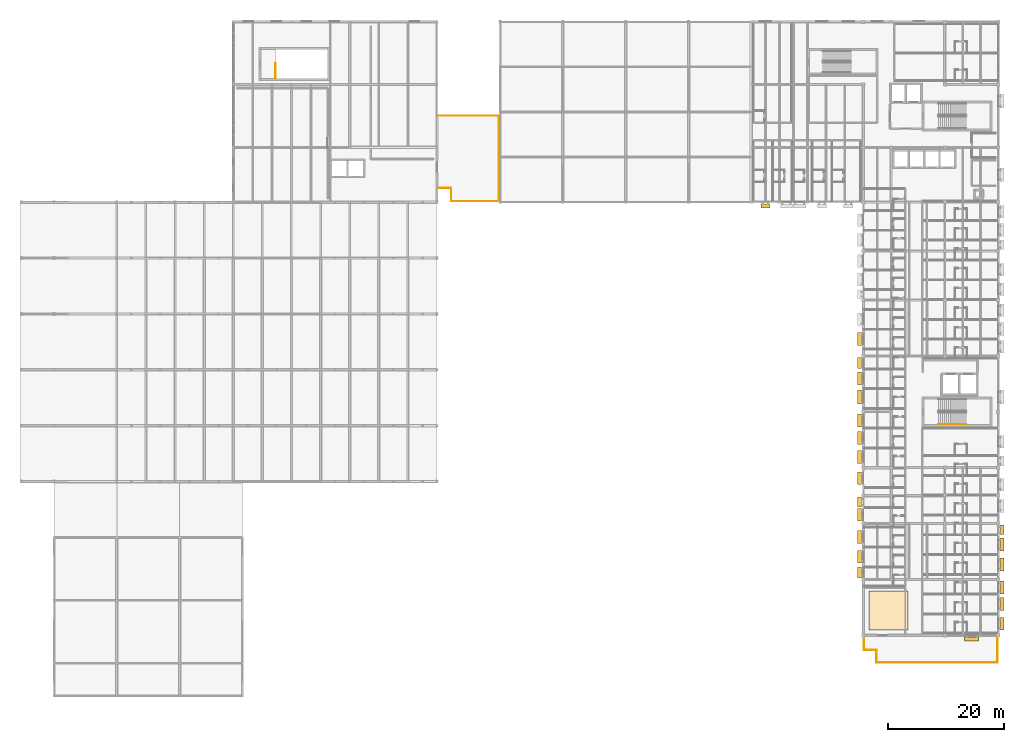
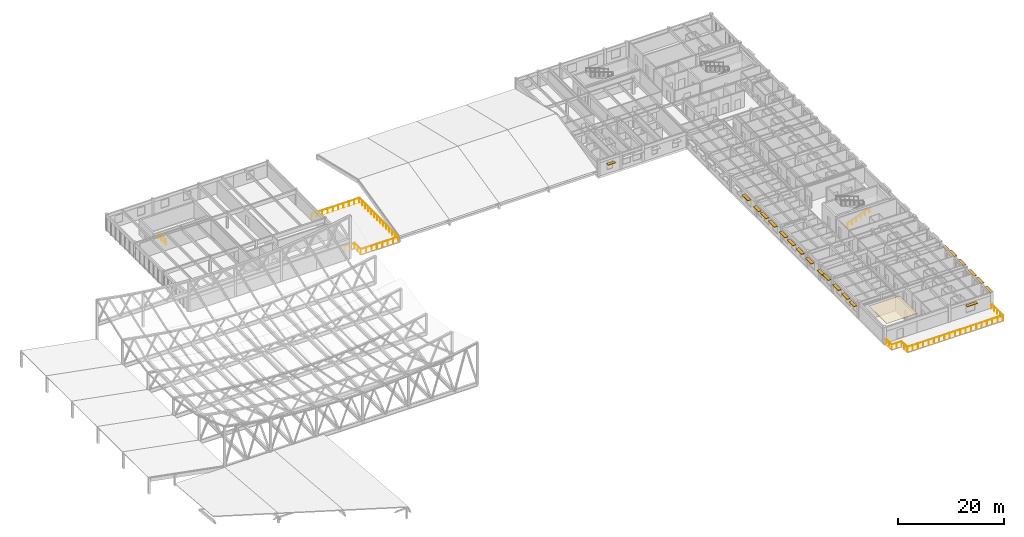
# One storey, part 37 of 40: 21 shading devices, 4 railings, 1 covering.
"""IFC4 building model written with IfcOpenShell, lengths in metres."""

from ifc_helpers import new_model, si_unit, direction, frame, origin, origin_2d, place, context, subcontext, project, spatial, polyline, rectangle, circle, outline, extrude, material, layer, layer_set, type_object, element, save


model = new_model("IFC4")

# Units and contexts
model_context = context("Model", 3, precision=1e-05, world=origin(), true_north=direction((0.0, 1.0)))
body_context = subcontext(model_context, "Body", "Model", "MODEL_VIEW")
ifc_project = project(units=[si_unit("LENGTHUNIT", "METRE"), si_unit("AREAUNIT", "SQUARE_METRE"), si_unit("VOLUMEUNIT", "CUBIC_METRE"), si_unit("PLANEANGLEUNIT", "RADIAN"), si_unit("MASSUNIT", "GRAM", prefix="KILO")], contexts=[model_context])

# Site, building, storey
site_placement = place(None, origin())
site = spatial("IfcSite", under=ifc_project, at=site_placement, CompositionType="ELEMENT")
building_placement = place(site_placement, origin())
building = spatial("IfcBuilding", under=site, at=building_placement, Name="Veldera Park Congress Hotel", CompositionType="ELEMENT")
storey_placement = place(building_placement, frame((0.0, 0.0, 16.199951171875)))
storey = spatial("IfcBuildingStorey", under=building, at=storey_placement, Name="L03", CompositionType="ELEMENT", Elevation=16.199951171875)

# Railings
ifc_material_1 = material(Name="Low-E Triple Insulating Glass Unit (SHGC 0.22)", Category="glass")
railing_type_1 = type_object("IfcRailingType", Name="BAL-TER115", PredefinedType="BALUSTRADE", material=ifc_material_1)
railing_1_placement = place(storey_placement, frame((-12.14990234375, 41.85009765625, 0.0)))
element("IfcRailing", 1, at=railing_1_placement, inside=storey, type_object=railing_type_1, Name="L03 Terrace Guard 002", PredefinedType="BALUSTRADE", context=body_context, shape_type="SweptSolid", body=[
    extrude(circle(Radius=0.02392578125, at=origin_2d()), frame((0.0, 0.0, 1.1259765625), z_axis=(1.0, 0.0, 0.0), x_axis=(0.0, 1.0, 0.0)), (0.0, 0.0, 1.0), 10.39990234375),
    extrude(circle(Radius=0.02392578125, at=origin_2d()), frame((10.39990234375, 0.0, 1.1259765625), z_axis=(0.0, -1.0, 0.0), x_axis=(1.0, 0.0, 0.0)), (0.0, 0.0, 1.0), 14.7001953125),
    extrude(circle(Radius=0.02392578125, at=origin_2d()), frame((10.39990234375, -14.7001953125, 1.1259765625), z_axis=(-1.0, 0.0, 0.0), x_axis=(0.0, -1.0, 0.0)), (0.0, 0.0, 1.0), 8.199951171875),
    extrude(circle(Radius=0.02392578125, at=origin_2d()), frame((2.199951171875, -14.7001953125, 1.1259765625), z_axis=(0.0, 1.0, 0.0), x_axis=(-1.0, 0.0, 0.0)), (0.0, 0.0, 1.0), 2.300048828125),
    extrude(circle(Radius=0.02392578125, at=origin_2d()), frame((2.199951171875, -12.400146484375, 1.1259765625), z_axis=(-1.0, 0.0, 0.0), x_axis=(0.0, -1.0, 0.0)), (0.0, 0.0, 1.0), 2.199951171875),
    extrude(circle(Radius=0.02099609375, at=origin_2d()), origin(), (0.0, 0.0, 1.0), 1.101806640625),
    extrude(circle(Radius=0.02099609375, at=origin_2d()), frame((1.155517578125, 0.0, 0.0)), (0.0, 0.0, 1.0), 1.101806640625),
    extrude(circle(Radius=0.02099609375, at=origin_2d()), frame((2.31103515625, 0.0, 0.0)), (0.0, 0.0, 1.0), 1.101806640625),
    extrude(circle(Radius=0.02099609375, at=origin_2d()), frame((3.466552734375, 0.0, 0.0)), (0.0, 0.0, 1.0), 1.101806640625),
    extrude(circle(Radius=0.02099609375, at=origin_2d()), frame((4.6220703125, 0.0, 0.0)), (0.0, 0.0, 1.0), 1.101806640625),
    extrude(circle(Radius=0.02099609375, at=origin_2d()), frame((5.77783203125, 0.0, 0.0)), (0.0, 0.0, 1.0), 1.101806640625),
    extrude(circle(Radius=0.02099609375, at=origin_2d()), frame((6.933349609375, 0.0, 0.0)), (0.0, 0.0, 1.0), 1.101806640625),
    extrude(circle(Radius=0.02099609375, at=origin_2d()), frame((8.0888671875, 0.0, 0.0)), (0.0, 0.0, 1.0), 1.101806640625),
    extrude(circle(Radius=0.02099609375, at=origin_2d()), frame((9.244384765625, 0.0, 0.0)), (0.0, 0.0, 1.0), 1.101806640625),
    extrude(circle(Radius=0.02099609375, at=origin_2d()), frame((10.39990234375, 0.0, 0.0)), (0.0, 0.0, 1.0), 1.101806640625),
    extrude(circle(Radius=0.02099609375, at=origin_2d()), frame((10.39990234375, -1.130859375, 0.0)), (0.0, 0.0, 1.0), 1.101806640625),
    extrude(circle(Radius=0.02099609375, at=origin_2d()), frame((10.39990234375, -2.261474609375, 0.0)), (0.0, 0.0, 1.0), 1.101806640625),
    extrude(circle(Radius=0.02099609375, at=origin_2d()), frame((10.39990234375, -3.392333984375, 0.0)), (0.0, 0.0, 1.0), 1.101806640625),
    extrude(circle(Radius=0.02099609375, at=origin_2d()), frame((10.39990234375, -4.523193359375, 0.0)), (0.0, 0.0, 1.0), 1.101806640625),
    extrude(circle(Radius=0.02099609375, at=origin_2d()), frame((10.39990234375, -5.65380859375, 0.0)), (0.0, 0.0, 1.0), 1.101806640625),
    extrude(circle(Radius=0.02099609375, at=origin_2d()), frame((10.39990234375, -6.78466796875, 0.0)), (0.0, 0.0, 1.0), 1.101806640625),
    extrude(circle(Radius=0.02099609375, at=origin_2d()), frame((10.39990234375, -7.91552734375, 0.0)), (0.0, 0.0, 1.0), 1.101806640625),
    extrude(circle(Radius=0.02099609375, at=origin_2d()), frame((10.39990234375, -9.04638671875, 0.0)), (0.0, 0.0, 1.0), 1.101806640625),
    extrude(circle(Radius=0.02099609375, at=origin_2d()), frame((10.39990234375, -10.177001953125, 0.0)), (0.0, 0.0, 1.0), 1.101806640625),
    extrude(circle(Radius=0.02099609375, at=origin_2d()), frame((10.39990234375, -11.307861328125, 0.0)), (0.0, 0.0, 1.0), 1.101806640625),
    extrude(circle(Radius=0.02099609375, at=origin_2d()), frame((10.39990234375, -12.438720703125, 0.0)), (0.0, 0.0, 1.0), 1.101806640625),
    extrude(circle(Radius=0.02099609375, at=origin_2d()), frame((10.39990234375, -13.5693359375, 0.0)), (0.0, 0.0, 1.0), 1.101806640625),
    extrude(circle(Radius=0.02099609375, at=origin_2d()), frame((10.39990234375, -14.7001953125, 0.0)), (0.0, 0.0, 1.0), 1.101806640625),
    extrude(circle(Radius=0.02099609375, at=origin_2d()), frame((9.228515625, -14.7001953125, 0.0)), (0.0, 0.0, 1.0), 1.101806640625),
    extrude(circle(Radius=0.02099609375, at=origin_2d()), frame((8.05712890625, -14.7001953125, 0.0)), (0.0, 0.0, 1.0), 1.101806640625),
    extrude(circle(Radius=0.02099609375, at=origin_2d()), frame((6.8857421875, -14.7001953125, 0.0)), (0.0, 0.0, 1.0), 1.101806640625),
    extrude(circle(Radius=0.02099609375, at=origin_2d()), frame((5.714111328125, -14.7001953125, 0.0)), (0.0, 0.0, 1.0), 1.101806640625),
    extrude(circle(Radius=0.02099609375, at=origin_2d()), frame((4.542724609375, -14.7001953125, 0.0)), (0.0, 0.0, 1.0), 1.101806640625),
    extrude(circle(Radius=0.02099609375, at=origin_2d()), frame((3.371337890625, -14.7001953125, 0.0)), (0.0, 0.0, 1.0), 1.101806640625),
    extrude(circle(Radius=0.02099609375, at=origin_2d()), frame((2.199951171875, -14.7001953125, 0.0)), (0.0, 0.0, 1.0), 1.101806640625),
    extrude(circle(Radius=0.02099609375, at=origin_2d()), frame((2.199951171875, -13.55029296875, 0.0)), (0.0, 0.0, 1.0), 1.101806640625),
    extrude(circle(Radius=0.02099609375, at=origin_2d()), frame((2.199951171875, -12.400146484375, 0.0)), (0.0, 0.0, 1.0), 1.101806640625),
    extrude(circle(Radius=0.02099609375, at=origin_2d()), frame((1.10009765625, -12.400146484375, 0.0)), (0.0, 0.0, 1.0), 1.101806640625),
    extrude(circle(Radius=0.02099609375, at=origin_2d()), frame((0.0, -12.400146484375, 0.0)), (0.0, 0.0, 1.0), 1.101806640625),
])
railing_2_placement = place(storey_placement, frame((60.93994140625, -47.739990234375, 0.0)))
element("IfcRailing", 2, at=railing_2_placement, inside=storey, type_object=railing_type_1, Name="L03 Terrace Guard 003", PredefinedType="BALUSTRADE", context=body_context, shape_type="SweptSolid", body=[
    extrude(circle(Radius=0.02392578125, at=origin_2d()), frame((0.0, 0.0, 1.1259765625), z_axis=(0.0, -1.0, 0.0), x_axis=(1.0, 0.0, 0.0)), (0.0, 0.0, 1.0), 2.169921875),
    extrude(circle(Radius=0.02392578125, at=origin_2d()), frame((0.0, -2.169921875, 1.1259765625), z_axis=(1.0, 0.0, 0.0), x_axis=(0.0, 1.0, 0.0)), (0.0, 0.0, 1.0), 2.150146484375),
    extrude(circle(Radius=0.02392578125, at=origin_2d()), frame((2.150146484375, -2.169921875, 1.1259765625), z_axis=(0.0, -1.0, 0.0), x_axis=(1.0, 0.0, 0.0)), (0.0, 0.0, 1.0), 2.150146484375),
    extrude(circle(Radius=0.02392578125, at=origin_2d()), frame((2.150146484375, -4.320068359375, 1.1259765625), z_axis=(1.0, 0.0, 0.0), x_axis=(0.0, 1.0, 0.0)), (0.0, 0.0, 1.0), 20.77001953125),
    extrude(circle(Radius=0.02392578125, at=origin_2d()), frame((22.920166015625, -4.320068359375, 1.1259765625), z_axis=(0.0, 1.0, 0.0), x_axis=(-1.0, 0.0, 0.0)), (0.0, 0.0, 1.0), 4.320068359375),
    extrude(circle(Radius=0.02099609375, at=origin_2d()), origin(), (0.0, 0.0, 1.0), 1.101806640625),
    extrude(circle(Radius=0.02099609375, at=origin_2d()), frame((0.0, -1.0849609375, 0.0)), (0.0, 0.0, 1.0), 1.101806640625),
    extrude(circle(Radius=0.02099609375, at=origin_2d()), frame((0.0, -2.169921875, 0.0)), (0.0, 0.0, 1.0), 1.101806640625),
    extrude(circle(Radius=0.02099609375, at=origin_2d()), frame((1.0751953125, -2.169921875, 0.0)), (0.0, 0.0, 1.0), 1.101806640625),
    extrude(circle(Radius=0.02099609375, at=origin_2d()), frame((2.150146484375, -2.169921875, 0.0)), (0.0, 0.0, 1.0), 1.101806640625),
    extrude(circle(Radius=0.02099609375, at=origin_2d()), frame((2.150146484375, -3.2451171875, 0.0)), (0.0, 0.0, 1.0), 1.101806640625),
    extrude(circle(Radius=0.02099609375, at=origin_2d()), frame((2.150146484375, -4.320068359375, 0.0)), (0.0, 0.0, 1.0), 1.101806640625),
    extrude(circle(Radius=0.02099609375, at=origin_2d()), frame((3.303955078125, -4.320068359375, 0.0)), (0.0, 0.0, 1.0), 1.101806640625),
    extrude(circle(Radius=0.02099609375, at=origin_2d()), frame((4.4580078125, -4.320068359375, 0.0)), (0.0, 0.0, 1.0), 1.101806640625),
    extrude(circle(Radius=0.02099609375, at=origin_2d()), frame((5.61181640625, -4.320068359375, 0.0)), (0.0, 0.0, 1.0), 1.101806640625),
    extrude(circle(Radius=0.02099609375, at=origin_2d()), frame((6.765625, -4.320068359375, 0.0)), (0.0, 0.0, 1.0), 1.101806640625),
    extrude(circle(Radius=0.02099609375, at=origin_2d()), frame((7.919677734375, -4.320068359375, 0.0)), (0.0, 0.0, 1.0), 1.101806640625),
    extrude(circle(Radius=0.02099609375, at=origin_2d()), frame((9.073486328125, -4.320068359375, 0.0)), (0.0, 0.0, 1.0), 1.101806640625),
    extrude(circle(Radius=0.02099609375, at=origin_2d()), frame((10.227294921875, -4.320068359375, 0.0)), (0.0, 0.0, 1.0), 1.101806640625),
    extrude(circle(Radius=0.02099609375, at=origin_2d()), frame((11.38134765625, -4.320068359375, 0.0)), (0.0, 0.0, 1.0), 1.101806640625),
    extrude(circle(Radius=0.02099609375, at=origin_2d()), frame((12.53515625, -4.320068359375, 0.0)), (0.0, 0.0, 1.0), 1.101806640625),
    extrude(circle(Radius=0.02099609375, at=origin_2d()), frame((13.68896484375, -4.320068359375, 0.0)), (0.0, 0.0, 1.0), 1.101806640625),
    extrude(circle(Radius=0.02099609375, at=origin_2d()), frame((14.843017578125, -4.320068359375, 0.0)), (0.0, 0.0, 1.0), 1.101806640625),
    extrude(circle(Radius=0.02099609375, at=origin_2d()), frame((15.996826171875, -4.320068359375, 0.0)), (0.0, 0.0, 1.0), 1.101806640625),
    extrude(circle(Radius=0.02099609375, at=origin_2d()), frame((17.150634765625, -4.320068359375, 0.0)), (0.0, 0.0, 1.0), 1.101806640625),
    extrude(circle(Radius=0.02099609375, at=origin_2d()), frame((18.3046875, -4.320068359375, 0.0)), (0.0, 0.0, 1.0), 1.101806640625),
    extrude(circle(Radius=0.02099609375, at=origin_2d()), frame((19.45849609375, -4.320068359375, 0.0)), (0.0, 0.0, 1.0), 1.101806640625),
    extrude(circle(Radius=0.02099609375, at=origin_2d()), frame((20.6123046875, -4.320068359375, 0.0)), (0.0, 0.0, 1.0), 1.101806640625),
    extrude(circle(Radius=0.02099609375, at=origin_2d()), frame((21.766357421875, -4.320068359375, 0.0)), (0.0, 0.0, 1.0), 1.101806640625),
    extrude(circle(Radius=0.02099609375, at=origin_2d()), frame((22.920166015625, -4.320068359375, 0.0)), (0.0, 0.0, 1.0), 1.101806640625),
    extrude(circle(Radius=0.02099609375, at=origin_2d()), frame((22.920166015625, -3.239990234375, 0.0)), (0.0, 0.0, 1.0), 1.101806640625),
    extrude(circle(Radius=0.02099609375, at=origin_2d()), frame((22.920166015625, -2.16015625, 0.0)), (0.0, 0.0, 1.0), 1.101806640625),
    extrude(circle(Radius=0.02099609375, at=origin_2d()), frame((22.920166015625, -1.080078125, 0.0)), (0.0, 0.0, 1.0), 1.101806640625),
    extrude(circle(Radius=0.02099609375, at=origin_2d()), frame((22.920166015625, 0.0, 0.0)), (0.0, 0.0, 1.0), 1.101806640625),
])

# Covering
ifc_material_2 = material(Name="Micro-Perforated Western Hemlock Acoustic Timber", Category="wood")
ifc_layer = layer(ifc_material_2, 0.044921875)
ifc_layer_set = layer_set([ifc_layer], Name="Micro-Perforated Western Hemlock Acoustic Timber")
covering_type = type_object("IfcCoveringType", Name="COV-CLG-TIM", PredefinedType="CEILING", material=ifc_layer_set)
covering_placement = place(storey_placement, frame((0.0, 0.0, 3.51513671875)))
element("IfcCovering", 3, at=covering_placement, inside=storey, type_object=covering_type, Name="Club Veldera Lounge Acoustic Ceiling", PredefinedType="CEILING", context=body_context, shape_type="SweptSolid", body=[
    extrude(outline(polyline([(61.800048828125, -46.5), (68.5, -46.5), (68.5, -39.800048828125), (61.800048828125, -39.800048828125), (61.800048828125, -46.5)])), origin(), (0.0, 0.0, 1.0), 0.044921875),
])

# Railings
ifc_material_3 = material(Name="Steel ASTM A992 Gr.50", Category="steel")
railing_type_2 = type_object("IfcRailingType", Name="GRD-ST110", PredefinedType="GUARDRAIL", material=ifc_material_3)
railing_3_placement = place(storey_placement, frame((-40.14990234375, 48.199951171875, 0.0)))
element("IfcRailing", 4, at=railing_3_placement, inside=storey, type_object=railing_type_2, Name="L03 ST4 top well guard 1", PredefinedType="GUARDRAIL", context=body_context, shape_type="SweptSolid", body=[
    extrude(circle(Radius=0.02392578125, at=origin_2d()), frame((0.0, 0.0, 1.076171875), z_axis=(0.0, 1.0, 0.0), x_axis=(-1.0, 0.0, 0.0)), (0.0, 0.0, 1.0), 2.60009765625),
    extrude(circle(Radius=0.02099609375, at=origin_2d()), origin(), (0.0, 0.0, 1.0), 1.052001953125),
    extrude(circle(Radius=0.02099609375, at=origin_2d()), frame((0.0, 0.86669921875, 0.0)), (0.0, 0.0, 1.0), 1.052001953125),
    extrude(circle(Radius=0.02099609375, at=origin_2d()), frame((0.0, 1.7333984375, 0.0)), (0.0, 0.0, 1.0), 1.052001953125),
    extrude(circle(Radius=0.02099609375, at=origin_2d()), frame((0.0, 2.60009765625, 0.0)), (0.0, 0.0, 1.0), 1.052001953125),
])
railing_type_3 = type_object("IfcRailingType", Name="HRL-920", PredefinedType="HANDRAIL", material=ifc_material_3)
railing_4_placement = place(storey_placement, frame((73.699951171875, -11.14990234375, 0.126708984375)))
element("IfcRailing", 5, at=railing_4_placement, inside=storey, type_object=railing_type_3, Name="L03 ST2 stair handrail 1", PredefinedType="HANDRAIL", context=body_context, shape_type="SweptSolid", body=[
    extrude(circle(Radius=0.02392578125, at=origin_2d()), frame((0.0, 0.0, 0.89599609375), z_axis=(0.937075640343, 0.0, 0.349126401572), x_axis=(0.0, 1.0, 0.0)), (0.0, 0.0, 1.0), 5.07958984375),
    extrude(circle(Radius=0.02099609375, at=origin_2d()), origin(), (0.0, 0.0, 1.0), 0.871826171875),
    extrude(circle(Radius=0.02099609375, at=origin_2d()), frame((0.951904296875, 0.0, 0.354736328125)), (0.0, 0.0, 1.0), 0.871826171875),
    extrude(circle(Radius=0.02099609375, at=origin_2d()), frame((1.904052734375, 0.0, 0.70947265625)), (0.0, 0.0, 1.0), 0.871826171875),
    extrude(circle(Radius=0.02099609375, at=origin_2d()), frame((2.85595703125, 0.0, 1.06396484375)), (0.0, 0.0, 1.0), 0.871826171875),
    extrude(circle(Radius=0.02099609375, at=origin_2d()), frame((3.80810546875, 0.0, 1.418701171875)), (0.0, 0.0, 1.0), 0.871826171875),
    extrude(circle(Radius=0.02099609375, at=origin_2d()), frame((4.760009765625, 0.0, 1.7734375)), (0.0, 0.0, 1.0), 0.871826171875),
])

# Shading devices
ifc_material_4 = material(Name="Glulam GL28h (NDS 24F-V4)", Category="wood")
shading_device_type = type_object("IfcShadingDeviceType", Name="SHD-LVR300", PredefinedType="JALOUSIE", material=ifc_material_4)
shading_device_1_placement = place(storey_placement, frame((79.389892578125, -48.044921875, 2.735107421875), z_axis=(0.0, 0.0, 1.0), x_axis=(1.0, 0.0, 0.0)))
element("IfcShadingDevice", 6, at=shading_device_1_placement, inside=storey, type_object=shading_device_type, Name="Glulam Solar Shade 134", PredefinedType="JALOUSIE", context=body_context, shape_type="SweptSolid", body=[
    extrude(rectangle(XDim=2.35009765625, YDim=0.64990234375, at=origin_2d()), origin(), (0.0, 0.0, 1.0), 0.1201171875),
])
shading_device_2_placement = place(storey_placement, frame((44.0, 26.35498046875, 2.419921875), z_axis=(0.0, 0.0, 1.0), x_axis=(1.0, 0.0, 0.0)))
element("IfcShadingDevice", 7, at=shading_device_2_placement, inside=storey, type_object=shading_device_type, Name="Glulam Solar Shade 138", PredefinedType="JALOUSIE", context=body_context, shape_type="SweptSolid", body=[
    extrude(rectangle(XDim=1.60009765625, YDim=0.64990234375, at=origin_2d()), origin(), (0.0, 0.0, 1.0), 0.1201171875),
])
shading_device_3_placement = place(storey_placement, frame((60.155029296875, -6.4609375, 2.735107421875), z_axis=(0.0, 0.0, 1.0), x_axis=(0.0, -1.0, 0.0)))
element("IfcShadingDevice", 8, at=shading_device_3_placement, inside=storey, type_object=shading_device_type, Name="Glulam Solar Shade 141", PredefinedType="JALOUSIE", context=body_context, shape_type="SweptSolid", body=[
    extrude(rectangle(XDim=2.35009765625, YDim=0.64990234375, at=origin_2d()), origin(), (0.0, 0.0, 1.0), 0.1201171875),
])
shading_device_4_placement = place(storey_placement, frame((60.155029296875, -36.595947265625, 2.619873046875), z_axis=(0.0, 0.0, 1.0), x_axis=(0.0, -1.0, 0.0)))
element("IfcShadingDevice", 9, at=shading_device_4_placement, inside=storey, type_object=shading_device_type, Name="Glulam Solar Shade 320", PredefinedType="JALOUSIE", context=body_context, shape_type="SweptSolid", body=[
    extrude(rectangle(XDim=1.89990234375, YDim=0.64990234375, at=origin_2d()), origin(), (0.0, 0.0, 1.0), 0.1201171875),
])
for number, where, z_axis, x_axis, name in (
    (10, (60.155029296875, -33.909912109375, 2.719970703125), (0.0, 0.0, 1.0), (0.0, -1.0, 0.0), "Glulam Solar Shade 321"),
    (11, (60.155029296875, -30.510009765625, 2.719970703125), (0.0, 0.0, 1.0), (0.0, -1.0, 0.0), "Glulam Solar Shade 322"),
    (12, (60.155029296875, -26.696044921875, 2.719970703125), (0.0, 0.0, 1.0), (0.0, -1.0, 0.0), "Glulam Solar Shade 323"),
):
    element("IfcShadingDevice", number, at=place(storey_placement, frame(where, z_axis=z_axis, x_axis=x_axis)), inside=storey, type_object=shading_device_type, Name=name, PredefinedType="JALOUSIE", context=body_context, shape_type="SweptSolid", body=[
        extrude(rectangle(XDim=2.199951171875, YDim=0.64990234375, at=origin_2d()), origin(), (0.0, 0.0, 1.0), 0.1201171875),
    ])
shading_device_5_placement = place(storey_placement, frame((60.155029296875, -24.513916015625, 2.52001953125), z_axis=(0.0, 0.0, 1.0), x_axis=(0.0, -1.0, 0.0)))
element("IfcShadingDevice", 13, at=shading_device_5_placement, inside=storey, type_object=shading_device_type, Name="Glulam Solar Shade 324", PredefinedType="JALOUSIE", context=body_context, shape_type="SweptSolid", body=[
    extrude(rectangle(XDim=1.75, YDim=0.64990234375, at=origin_2d()), origin(), (0.0, 0.0, 1.0), 0.1201171875),
])
for number, where, z_axis, x_axis, name in (
    (14, (60.155029296875, -20.4140625, 2.719970703125), (0.0, 0.0, 1.0), (0.0, -1.0, 0.0), "Glulam Solar Shade 325"),
    (15, (60.155029296875, -16.7958984375, 2.719970703125), (0.0, 0.0, 1.0), (0.0, -1.0, 0.0), "Glulam Solar Shade 326"),
    (16, (60.155029296875, -13.510009765625, 2.719970703125), (0.0, 0.0, 1.0), (0.0, -1.0, 0.0), "Glulam Solar Shade 327"),
    (17, (60.155029296875, -10.513916015625, 2.719970703125), (0.0, 0.0, 1.0), (0.0, -1.0, 0.0), "Glulam Solar Shade 328"),
    (18, (60.155029296875, -3.31005859375, 2.719970703125), (0.0, 0.0, 1.0), (0.0, -1.0, 0.0), "Glulam Solar Shade 329"),
):
    element("IfcShadingDevice", number, at=place(storey_placement, frame(where, z_axis=z_axis, x_axis=x_axis)), inside=storey, type_object=shading_device_type, Name=name, PredefinedType="JALOUSIE", context=body_context, shape_type="SweptSolid", body=[
        extrude(rectangle(XDim=2.199951171875, YDim=0.64990234375, at=origin_2d()), origin(), (0.0, 0.0, 1.0), 0.1201171875),
    ])
shading_device_6_placement = place(storey_placement, frame((60.155029296875, -0.614013671875, 2.619873046875), z_axis=(0.0, 0.0, 1.0), x_axis=(0.0, -1.0, 0.0)))
element("IfcShadingDevice", 19, at=shading_device_6_placement, inside=storey, type_object=shading_device_type, Name="Glulam Solar Shade 330", PredefinedType="JALOUSIE", context=body_context, shape_type="SweptSolid", body=[
    extrude(rectangle(XDim=1.89990234375, YDim=0.64990234375, at=origin_2d()), origin(), (0.0, 0.0, 1.0), 0.1201171875),
])
for number, where, z_axis, x_axis, name in (
    (20, (60.155029296875, 3.489990234375, 2.719970703125), (0.0, 0.0, 1.0), (0.0, -1.0, 0.0), "Glulam Solar Shade 331"),
    (21, (84.64501953125, -45.409912109375, 2.719970703125), (0.0, 0.0, 1.0), (0.0, 1.0, 0.0), "Glulam Solar Shade 338"),
    (22, (84.64501953125, -42.010009765625, 2.719970703125), (0.0, 0.0, 1.0), (0.0, 1.0, 0.0), "Glulam Solar Shade 339"),
    (23, (84.64501953125, -39.1640625, 2.719970703125), (0.0, 0.0, 1.0), (0.0, 1.0, 0.0), "Glulam Solar Shade 340"),
    (24, (84.64501953125, -35.2099609375, 2.719970703125), (0.0, 0.0, 1.0), (0.0, 1.0, 0.0), "Glulam Solar Shade 341"),
    (25, (84.64501953125, -31.81005859375, 2.719970703125), (0.0, 0.0, 1.0), (0.0, 1.0, 0.0), "Glulam Solar Shade 342"),
):
    element("IfcShadingDevice", number, at=place(storey_placement, frame(where, z_axis=z_axis, x_axis=x_axis)), inside=storey, type_object=shading_device_type, Name=name, PredefinedType="JALOUSIE", context=body_context, shape_type="SweptSolid", body=[
        extrude(rectangle(XDim=2.199951171875, YDim=0.64990234375, at=origin_2d()), origin(), (0.0, 0.0, 1.0), 0.1201171875),
    ])
shading_device_7_placement = place(storey_placement, frame((84.64501953125, -29.263916015625, 2.419921875), z_axis=(0.0, 0.0, 1.0), x_axis=(0.0, 1.0, 0.0)))
element("IfcShadingDevice", 26, at=shading_device_7_placement, inside=storey, type_object=shading_device_type, Name="Glulam Solar Shade 343", PredefinedType="JALOUSIE", context=body_context, shape_type="SweptSolid", body=[
    extrude(rectangle(XDim=1.60009765625, YDim=0.64990234375, at=origin_2d()), origin(), (0.0, 0.0, 1.0), 0.1201171875),
])

save(model, "model.ifc")
